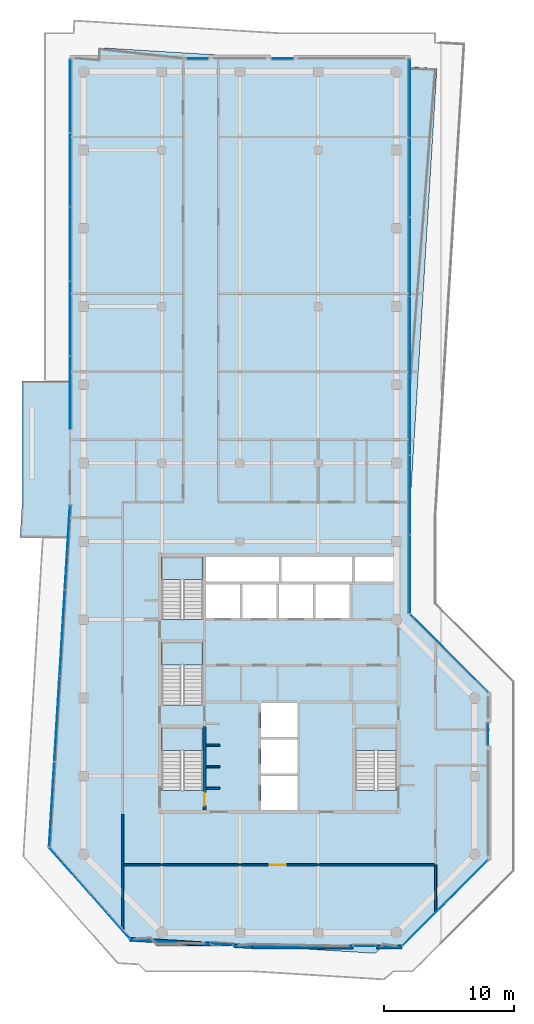
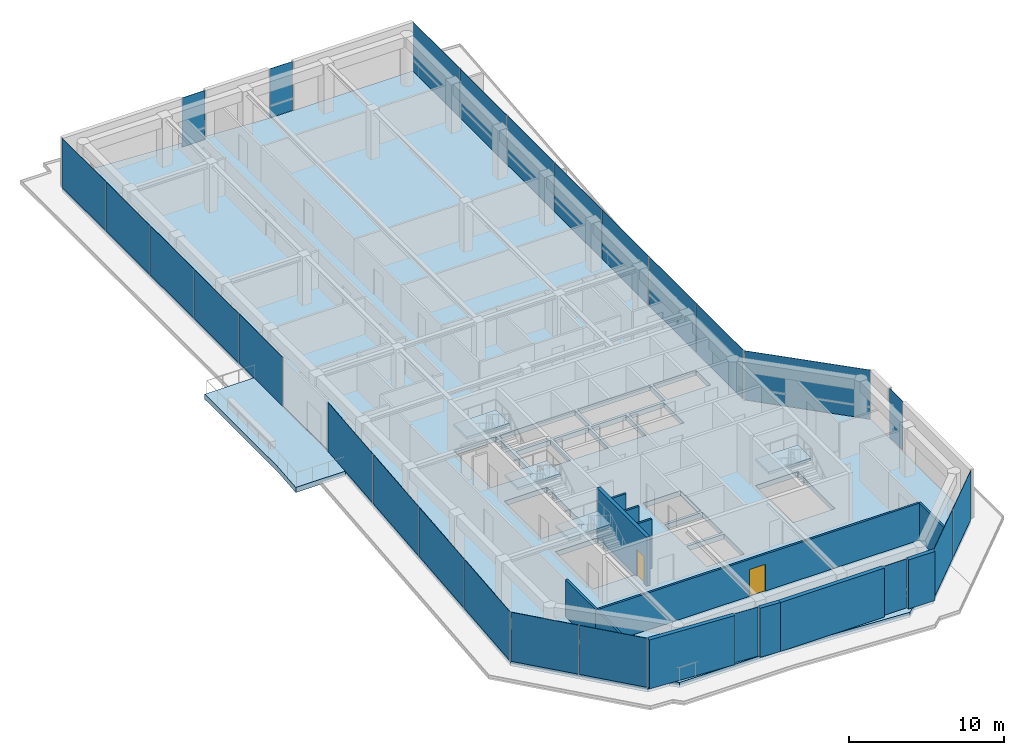
# One storey, part 13 of 18: 26 plates, 12 walls, 6 slabs, 2 doors, 2 openings, 15 elements without a shape of their own.
"""IFC4 building model written with IfcOpenShell, lengths in metres."""

from ifc_helpers import new_model, si_unit, direction, frame, frame_2d, origin, origin_2d, place, context, subcontext, project, spatial, polyline, rectangle, outline, extrude, material, layer, layer_set, type_object, element, fill, aggregate, save


model = new_model("IFC4")

# Units and contexts
model_context = context("Model", 3, precision=1e-05, world=origin(), true_north=direction((0.0, 1.0)))
body_context = subcontext(model_context, "Body", "Model", "MODEL_VIEW")
ifc_project = project(units=[si_unit("LENGTHUNIT", "METRE"), si_unit("AREAUNIT", "SQUARE_METRE"), si_unit("VOLUMEUNIT", "CUBIC_METRE"), si_unit("PLANEANGLEUNIT", "RADIAN"), si_unit("MASSUNIT", "GRAM", prefix="KILO")], contexts=[model_context])

# Site, building, storey
site_placement = place(None, origin())
site = spatial("IfcSite", under=ifc_project, at=site_placement, CompositionType="ELEMENT")
building_placement = place(site_placement, origin())
building = spatial("IfcBuilding", under=site, at=building_placement, Name="Welwitschia Terrace Campus", CompositionType="ELEMENT")
storey_placement = place(building_placement, frame((0.0, 0.0, 272.60009765625)))
storey = spatial("IfcBuildingStorey", under=building, at=storey_placement, Name="L60", CompositionType="ELEMENT", Elevation=272.60009765625)

# Curtain wall, plates
ifc_material_1 = material(Name="Bronze anodised aluminium", Category="aluminium")
ifc_layer_1 = layer(ifc_material_1, 0.1201171875)
ifc_layer_set_1 = layer_set([ifc_layer_1], Name="Bronze anodised aluminium")
curtain_wall_type = type_object("IfcCurtainWallType", Name="Curtain wall CW2 tower 6000", PredefinedType="NOTDEFINED", material=ifc_layer_set_1)
curtain_wall_1_placement = place(storey_placement, origin())
curtain_wall_1 = element("IfcCurtainWall", 1, at=curtain_wall_1_placement, inside=storey, type_object=curtain_wall_type, Name="CW L60.0.0", PredefinedType="NOTDEFINED")
ifc_material_2 = material(Name="Tinted bronze-grey glass", Category="glass")
ifc_layer_2 = layer(ifc_material_2, 0.028076171875)
ifc_layer_set_2 = layer_set([ifc_layer_2], Name="Tinted bronze-grey glass")
plate_type = type_object("IfcPlateType", Name="Glass panel 28 tinted", PredefinedType="CURTAIN_PANEL", material=ifc_layer_set_2)
plate_1_placement = place(storey_placement, frame((-1.23193359375, 25.543212890625, -0.000244140625), z_axis=(0.0, 0.0, 1.0), x_axis=(-0.061048539535, -0.998134798422, 0.0)))
plate_1 = element("IfcPlate", 2, at=plate_1_placement, type_object=plate_type, Name="Panel L60.0.0.0", PredefinedType="CURTAIN_PANEL", context=body_context, shape_type="SweptSolid", body=[
    extrude(rectangle(XDim=6.4990234375, YDim=0.028076171875, at=origin_2d()), origin(), (0.0, 0.0, 1.0), 3.85009765625),
])
plate_2_placement = place(storey_placement, frame((-1.63330078125, 18.981201171875, -0.000244140625), z_axis=(0.0, 0.0, 1.0), x_axis=(-0.061048539535, -0.998134798422, 0.0)))
plate_2 = element("IfcPlate", 3, at=plate_2_placement, type_object=plate_type, Name="Panel L60.0.0.1", PredefinedType="CURTAIN_PANEL", context=body_context, shape_type="SweptSolid", body=[
    extrude(rectangle(XDim=6.529052734375, YDim=0.028076171875, at=origin_2d()), origin(), (0.0, 0.0, 1.0), 3.85009765625),
])
plate_3_placement = place(storey_placement, frame((-2.03564453125, 12.404541015625, -0.000244140625), z_axis=(0.0, 0.0, 1.0), x_axis=(-0.061048539535, -0.998134798422, 0.0)))
plate_3 = element("IfcPlate", 4, at=plate_3_placement, type_object=plate_type, Name="Panel L60.0.0.2", PredefinedType="CURTAIN_PANEL", context=body_context, shape_type="SweptSolid", body=[
    extrude(rectangle(XDim=6.529052734375, YDim=0.028076171875, at=origin_2d()), origin(), (0.0, 0.0, 1.0), 3.85009765625),
])
plate_4_placement = place(storey_placement, frame((-2.43701171875, 5.8427734375, -0.000244140625), z_axis=(0.0, 0.0, 1.0), x_axis=(-0.061048539535, -0.998134798422, 0.0)))
plate_4 = element("IfcPlate", 5, at=plate_4_placement, type_object=plate_type, Name="Panel L60.0.0.3", PredefinedType="CURTAIN_PANEL", context=body_context, shape_type="SweptSolid", body=[
    extrude(rectangle(XDim=6.4990234375, YDim=0.028076171875, at=origin_2d()), origin(), (0.0, 0.0, 1.0), 3.85009765625),
])
aggregate(curtain_wall_1, [plate_1, plate_2, plate_3, plate_4])

curtain_wall_2_placement = place(storey_placement, origin())
curtain_wall_2 = element("IfcCurtainWall", 6, at=curtain_wall_2_placement, inside=storey, type_object=curtain_wall_type, Name="CW L60.1.0", PredefinedType="NOTDEFINED")
plate_5_placement = place(storey_placement, frame((-1.08203125, 0.779541015625, -0.000244140625), z_axis=(0.0, 0.0, 1.0), x_axis=(0.662620048216, -0.748955720789, 0.0)))
plate_5 = element("IfcPlate", 7, at=plate_5_placement, type_object=plate_type, Name="Panel L60.1.0.0", PredefinedType="CURTAIN_PANEL", context=body_context, shape_type="SweptSolid", body=[
    extrude(rectangle(XDim=4.579345703125, YDim=0.028076171875, at=origin_2d()), origin(), (0.0, 0.0, 1.0), 3.85009765625),
])
plate_6_placement = place(storey_placement, frame((1.991943359375, -2.695068359375, -0.000244140625), z_axis=(0.0, 0.0, 1.0), x_axis=(0.662620048216, -0.748955720789, 0.0)))
plate_6 = element("IfcPlate", 8, at=plate_6_placement, type_object=plate_type, Name="Panel L60.1.0.1", PredefinedType="CURTAIN_PANEL", context=body_context, shape_type="SweptSolid", body=[
    extrude(rectangle(XDim=4.579345703125, YDim=0.028076171875, at=origin_2d()), origin(), (0.0, 0.0, 1.0), 3.85009765625),
])
aggregate(curtain_wall_2, [plate_5, plate_6])

# Curtain wall, plate
curtain_wall_3_placement = place(storey_placement, origin())
curtain_wall_3 = element("IfcCurtainWall", 9, at=curtain_wall_3_placement, inside=storey, type_object=curtain_wall_type, Name="CW L60.2.S0", PredefinedType="NOTDEFINED")
plate_7_placement = place(storey_placement, frame((10.601318359375, -4.88623046875, -0.000244140625), z_axis=(0.0, 0.0, 1.0), x_axis=(0.998134798422, -0.061048539535, 0.0)))
plate_7 = element("IfcPlate", 10, at=plate_7_placement, type_object=plate_type, Name="Panel L60.2.S0.0", PredefinedType="CURTAIN_PANEL", context=body_context, shape_type="SweptSolid", body=[
    extrude(rectangle(XDim=1.679931640625, YDim=0.028076171875, at=origin_2d()), origin(), (0.0, 0.0, 1.0), 3.85009765625),
])
aggregate(curtain_wall_3, [plate_7])

curtain_wall_4_placement = place(storey_placement, origin())
curtain_wall_4 = element("IfcCurtainWall", 11, at=curtain_wall_4_placement, inside=storey, type_object=curtain_wall_type, Name="CW L60.3.S0", PredefinedType="NOTDEFINED")
plate_8_placement = place(storey_placement, frame((21.557861328125, -5.030029296875, -0.000244140625), z_axis=(0.0, 0.0, 1.0), x_axis=(1.0, 0.0, 0.0)))
plate_8 = element("IfcPlate", 12, at=plate_8_placement, type_object=plate_type, Name="Panel L60.3.S0.0", PredefinedType="CURTAIN_PANEL", context=body_context, shape_type="SweptSolid", body=[
    extrude(rectangle(XDim=1.679931640625, YDim=0.028076171875, at=origin_2d()), origin(), (0.0, 0.0, 1.0), 3.85009765625),
])
aggregate(curtain_wall_4, [plate_8])

# Curtain wall, plates
curtain_wall_5_placement = place(storey_placement, origin())
curtain_wall_5 = element("IfcCurtainWall", 13, at=curtain_wall_5_placement, inside=storey, type_object=curtain_wall_type, Name="CW L60.4.0", PredefinedType="NOTDEFINED")
plate_9_placement = place(storey_placement, frame((26.088134765625, -3.36865234375, -0.000244140625), z_axis=(0.0, 0.0, 1.0), x_axis=(0.707106781187, 0.707106781187, 0.0)))
plate_9 = element("IfcPlate", 14, at=plate_9_placement, type_object=plate_type, Name="Panel L60.4.0.0", PredefinedType="CURTAIN_PANEL", context=body_context, shape_type="SweptSolid", body=[
    extrude(rectangle(XDim=4.579345703125, YDim=0.028076171875, at=origin_2d()), origin(), (0.0, 0.0, 1.0), 3.85009765625),
])
plate_10_placement = place(storey_placement, frame((29.36865234375, -0.088134765625, -0.000244140625), z_axis=(0.0, 0.0, 1.0), x_axis=(0.707106781187, 0.707106781187, 0.0)))
plate_10 = element("IfcPlate", 15, at=plate_10_placement, type_object=plate_type, Name="Panel L60.4.0.1", PredefinedType="CURTAIN_PANEL", context=body_context, shape_type="SweptSolid", body=[
    extrude(rectangle(XDim=4.579345703125, YDim=0.028076171875, at=origin_2d()), origin(), (0.0, 0.0, 1.0), 3.85009765625),
])
aggregate(curtain_wall_5, [plate_9, plate_10])

# Curtain wall, plate
curtain_wall_6_placement = place(storey_placement, origin())
curtain_wall_6 = element("IfcCurtainWall", 16, at=curtain_wall_6_placement, inside=storey, type_object=curtain_wall_type, Name="CW L60.5.S0", PredefinedType="NOTDEFINED")
plate_11_placement = place(storey_placement, frame((31.030029296875, 11.21337890625, -0.000244140625), z_axis=(0.0, 0.0, 1.0), x_axis=(0.0, 1.0, 0.0)))
plate_11 = element("IfcPlate", 17, at=plate_11_placement, type_object=plate_type, Name="Panel L60.5.S0.0", PredefinedType="CURTAIN_PANEL", context=body_context, shape_type="SweptSolid", body=[
    extrude(rectangle(XDim=1.679931640625, YDim=0.028076171875, at=origin_2d()), origin(), (0.0, 0.0, 1.0), 3.85009765625),
])
aggregate(curtain_wall_6, [plate_11])

curtain_wall_7_placement = place(storey_placement, origin())
curtain_wall_7 = element("IfcCurtainWall", 18, at=curtain_wall_7_placement, inside=storey, type_object=curtain_wall_type, Name="CW L60.6.0", PredefinedType="NOTDEFINED")
plate_12_placement = place(storey_placement, frame((28.030029296875, 17.4267578125, -0.000244140625), z_axis=(0.0, 0.0, 1.0), x_axis=(-0.707106781187, 0.707106781187, 0.0)))
plate_12 = element("IfcPlate", 19, at=plate_12_placement, type_object=plate_type, Name="Panel L60.6.0.0", PredefinedType="CURTAIN_PANEL", context=body_context, shape_type="SweptSolid", body=[
    extrude(rectangle(XDim=8.365234375, YDim=0.028076171875, at=origin_2d()), origin(), (0.0, 0.0, 1.0), 3.85009765625),
])
aggregate(curtain_wall_7, [plate_12])

# Curtain wall, plates
curtain_wall_8_placement = place(storey_placement, origin())
curtain_wall_8 = element("IfcCurtainWall", 20, at=curtain_wall_8_placement, inside=storey, type_object=curtain_wall_type, Name="CW L60.7.0", PredefinedType="NOTDEFINED")
plate_13_placement = place(storey_placement, frame((25.030029296875, 23.484619140625, -0.000244140625), z_axis=(0.0, 0.0, 1.0), x_axis=(0.0, 1.0, 0.0)))
plate_13 = element("IfcPlate", 21, at=plate_13_placement, type_object=plate_type, Name="Panel L60.7.0.0", PredefinedType="CURTAIN_PANEL", context=body_context, shape_type="SweptSolid", body=[
    extrude(rectangle(XDim=5.99609375, YDim=0.028076171875, at=origin_2d()), origin(), (0.0, 0.0, 1.0), 3.85009765625),
])
plate_14_placement = place(storey_placement, frame((25.030029296875, 29.555908203125, -0.000244140625), z_axis=(0.0, 0.0, 1.0), x_axis=(0.0, 1.0, 0.0)))
plate_14 = element("IfcPlate", 22, at=plate_14_placement, type_object=plate_type, Name="Panel L60.7.0.1", PredefinedType="CURTAIN_PANEL", context=body_context, shape_type="SweptSolid", body=[
    extrude(rectangle(XDim=6.026123046875, YDim=0.028076171875, at=origin_2d()), origin(), (0.0, 0.0, 1.0), 3.85009765625),
])
plate_15_placement = place(storey_placement, frame((25.030029296875, 35.64208984375, -0.000244140625), z_axis=(0.0, 0.0, 1.0), x_axis=(0.0, 1.0, 0.0)))
plate_15 = element("IfcPlate", 23, at=plate_15_placement, type_object=plate_type, Name="Panel L60.7.0.2", PredefinedType="CURTAIN_PANEL", context=body_context, shape_type="SweptSolid", body=[
    extrude(rectangle(XDim=6.026123046875, YDim=0.028076171875, at=origin_2d()), origin(), (0.0, 0.0, 1.0), 3.85009765625),
])
plate_16_placement = place(storey_placement, frame((25.030029296875, 41.728271484375, -0.000244140625), z_axis=(0.0, 0.0, 1.0), x_axis=(0.0, 1.0, 0.0)))
plate_16 = element("IfcPlate", 24, at=plate_16_placement, type_object=plate_type, Name="Panel L60.7.0.3", PredefinedType="CURTAIN_PANEL", context=body_context, shape_type="SweptSolid", body=[
    extrude(rectangle(XDim=6.026123046875, YDim=0.028076171875, at=origin_2d()), origin(), (0.0, 0.0, 1.0), 3.85009765625),
])
plate_17_placement = place(storey_placement, frame((25.030029296875, 47.814453125, -0.000244140625), z_axis=(0.0, 0.0, 1.0), x_axis=(0.0, 1.0, 0.0)))
plate_17 = element("IfcPlate", 25, at=plate_17_placement, type_object=plate_type, Name="Panel L60.7.0.4", PredefinedType="CURTAIN_PANEL", context=body_context, shape_type="SweptSolid", body=[
    extrude(rectangle(XDim=6.026123046875, YDim=0.028076171875, at=origin_2d()), origin(), (0.0, 0.0, 1.0), 3.85009765625),
])
plate_18_placement = place(storey_placement, frame((25.030029296875, 53.900634765625, -0.000244140625), z_axis=(0.0, 0.0, 1.0), x_axis=(0.0, 1.0, 0.0)))
plate_18 = element("IfcPlate", 26, at=plate_18_placement, type_object=plate_type, Name="Panel L60.7.0.5", PredefinedType="CURTAIN_PANEL", context=body_context, shape_type="SweptSolid", body=[
    extrude(rectangle(XDim=6.026123046875, YDim=0.028076171875, at=origin_2d()), origin(), (0.0, 0.0, 1.0), 3.85009765625),
])
plate_19_placement = place(storey_placement, frame((25.030029296875, 59.971923828125, -0.000244140625), z_axis=(0.0, 0.0, 1.0), x_axis=(0.0, 1.0, 0.0)))
plate_19 = element("IfcPlate", 27, at=plate_19_placement, type_object=plate_type, Name="Panel L60.7.0.6", PredefinedType="CURTAIN_PANEL", context=body_context, shape_type="SweptSolid", body=[
    extrude(rectangle(XDim=5.99609375, YDim=0.028076171875, at=origin_2d()), origin(), (0.0, 0.0, 1.0), 3.85009765625),
])
aggregate(curtain_wall_8, [plate_13, plate_14, plate_15, plate_16, plate_17, plate_18, plate_19])

# Curtain wall, plate
curtain_wall_9_placement = place(storey_placement, origin())
curtain_wall_9 = element("IfcCurtainWall", 28, at=curtain_wall_9_placement, inside=storey, type_object=curtain_wall_type, Name="CW L60.8.S0", PredefinedType="NOTDEFINED")
plate_20_placement = place(storey_placement, frame((15.257568359375, 63.030029296875, -0.000244140625), z_axis=(0.0, 0.0, 1.0), x_axis=(-1.0, 0.0, 0.0)))
plate_20 = element("IfcPlate", 29, at=plate_20_placement, type_object=plate_type, Name="Panel L60.8.S0.0", PredefinedType="CURTAIN_PANEL", context=body_context, shape_type="SweptSolid", body=[
    extrude(rectangle(XDim=1.679931640625, YDim=0.028076171875, at=origin_2d()), origin(), (0.0, 0.0, 1.0), 3.85009765625),
])
aggregate(curtain_wall_9, [plate_20])

curtain_wall_10_placement = place(storey_placement, origin())
curtain_wall_10 = element("IfcCurtainWall", 30, at=curtain_wall_10_placement, inside=storey, type_object=curtain_wall_type, Name="CW L60.8.S1", PredefinedType="NOTDEFINED")
plate_21_placement = place(storey_placement, frame((8.742431640625, 63.030029296875, -0.000244140625), z_axis=(0.0, 0.0, 1.0), x_axis=(-1.0, 0.0, 0.0)))
plate_21 = element("IfcPlate", 31, at=plate_21_placement, type_object=plate_type, Name="Panel L60.8.S1.0", PredefinedType="CURTAIN_PANEL", context=body_context, shape_type="SweptSolid", body=[
    extrude(rectangle(XDim=1.679931640625, YDim=0.028076171875, at=origin_2d()), origin(), (0.0, 0.0, 1.0), 3.85009765625),
])
aggregate(curtain_wall_10, [plate_21])

# Curtain wall, plates
curtain_wall_11_placement = place(storey_placement, origin())
curtain_wall_11 = element("IfcCurtainWall", 32, at=curtain_wall_11_placement, inside=storey, type_object=curtain_wall_type, Name="CW L60.9.0", PredefinedType="NOTDEFINED")
plate_22_placement = place(storey_placement, frame((-1.030029296875, 60.166259765625, -0.000244140625), z_axis=(0.0, 0.0, 1.0), x_axis=(0.0, -1.0, 0.0)))
plate_22 = element("IfcPlate", 33, at=plate_22_placement, type_object=plate_type, Name="Panel L60.9.0.0", PredefinedType="CURTAIN_PANEL", context=body_context, shape_type="SweptSolid", body=[
    extrude(rectangle(XDim=5.607177734375, YDim=0.028076171875, at=origin_2d()), origin(), (0.0, 0.0, 1.0), 3.85009765625),
])
plate_23_placement = place(storey_placement, frame((-1.030029296875, 54.484130859375, -0.000244140625), z_axis=(0.0, 0.0, 1.0), x_axis=(0.0, -1.0, 0.0)))
plate_23 = element("IfcPlate", 34, at=plate_23_placement, type_object=plate_type, Name="Panel L60.9.0.1", PredefinedType="CURTAIN_PANEL", context=body_context, shape_type="SweptSolid", body=[
    extrude(rectangle(XDim=5.63720703125, YDim=0.028076171875, at=origin_2d()), origin(), (0.0, 0.0, 1.0), 3.85009765625),
])
plate_24_placement = place(storey_placement, frame((-1.030029296875, 48.786865234375, -0.000244140625), z_axis=(0.0, 0.0, 1.0), x_axis=(0.0, -1.0, 0.0)))
plate_24 = element("IfcPlate", 35, at=plate_24_placement, type_object=plate_type, Name="Panel L60.9.0.2", PredefinedType="CURTAIN_PANEL", context=body_context, shape_type="SweptSolid", body=[
    extrude(rectangle(XDim=5.63720703125, YDim=0.028076171875, at=origin_2d()), origin(), (0.0, 0.0, 1.0), 3.85009765625),
])
plate_25_placement = place(storey_placement, frame((-1.030029296875, 43.089599609375, -0.000244140625), z_axis=(0.0, 0.0, 1.0), x_axis=(0.0, -1.0, 0.0)))
plate_25 = element("IfcPlate", 36, at=plate_25_placement, type_object=plate_type, Name="Panel L60.9.0.3", PredefinedType="CURTAIN_PANEL", context=body_context, shape_type="SweptSolid", body=[
    extrude(rectangle(XDim=5.63720703125, YDim=0.028076171875, at=origin_2d()), origin(), (0.0, 0.0, 1.0), 3.85009765625),
])
plate_26_placement = place(storey_placement, frame((-1.030029296875, 37.407470703125, -0.000244140625), z_axis=(0.0, 0.0, 1.0), x_axis=(0.0, -1.0, 0.0)))
plate_26 = element("IfcPlate", 37, at=plate_26_placement, type_object=plate_type, Name="Panel L60.9.0.4", PredefinedType="CURTAIN_PANEL", context=body_context, shape_type="SweptSolid", body=[
    extrude(rectangle(XDim=5.607177734375, YDim=0.028076171875, at=origin_2d()), origin(), (0.0, 0.0, 1.0), 3.85009765625),
])
aggregate(curtain_wall_11, [plate_22, plate_23, plate_24, plate_25, plate_26])

# Stair, slab
ifc_material_3 = material(Name="Concrete C40/50", Category="concrete")
stair_type = type_object("IfcStairType", Name="Stair 24R 175 W1500", PredefinedType="HALF_TURN_STAIR", material=ifc_material_3)
stair_1_placement = place(storey_placement, origin())
stair_1 = element("IfcStair", 38, at=stair_1_placement, inside=storey, type_object=stair_type, Name="L60 Exit stair S1", PredefinedType="HALF_TURN_STAIR")
ifc_material_4 = material(Name="Concrete C40/50", Category="concrete")
ifc_layer_3 = layer(ifc_material_4, 0.199951171875)
ifc_layer_set_3 = layer_set([ifc_layer_3], Name="Concrete C40/50")
slab_type_1 = type_object("IfcSlabType", Name="Stair landing RC", PredefinedType="LANDING", material=ifc_layer_set_3)
slab_1_placement = place(storey_placement, frame((0.0, 0.0, 1.89990234375)))
slab_1 = element("IfcSlab", 39, at=slab_1_placement, type_object=slab_type_1, Name="S1 landing 1", PredefinedType="LANDING", context=body_context, shape_type="SweptSolid", body=[
    extrude(outline(polyline([(9.14990234375, 9.97998046875), (9.14990234375, 11.699951171875), (6.0, 11.699951171875), (6.0, 9.97998046875), (9.14990234375, 9.97998046875)])), origin(), (0.0, 0.0, 1.0), 0.199951171875),
])
aggregate(stair_1, [slab_1])

stair_2_placement = place(storey_placement, origin())
stair_2 = element("IfcStair", 40, at=stair_2_placement, inside=storey, type_object=stair_type, Name="L60 Exit stair S3", PredefinedType="HALF_TURN_STAIR")
slab_2_placement = place(storey_placement, frame((0.0, 0.0, 1.89990234375)))
slab_2 = element("IfcSlab", 41, at=slab_2_placement, type_object=slab_type_1, Name="S3 landing 1", PredefinedType="LANDING", context=body_context, shape_type="SweptSolid", body=[
    extrude(outline(polyline([(9.14990234375, 16.530029296875), (9.14990234375, 18.25), (6.0, 18.25), (6.0, 16.530029296875), (9.14990234375, 16.530029296875)])), origin(), (0.0, 0.0, 1.0), 0.199951171875),
])
aggregate(stair_2, [slab_2])

stair_3_placement = place(storey_placement, origin())
stair_3 = element("IfcStair", 42, at=stair_3_placement, inside=storey, type_object=stair_type, Name="L60 Exit stair S4", PredefinedType="HALF_TURN_STAIR")
slab_3_placement = place(storey_placement, frame((0.0, 0.0, 1.89990234375)))
slab_3 = element("IfcSlab", 43, at=slab_3_placement, type_object=slab_type_1, Name="S4 landing 1", PredefinedType="LANDING", context=body_context, shape_type="SweptSolid", body=[
    extrude(outline(polyline([(9.14990234375, 23.080078125), (9.14990234375, 24.800048828125), (6.0, 24.800048828125), (6.0, 23.080078125), (9.14990234375, 23.080078125)])), origin(), (0.0, 0.0, 1.0), 0.199951171875),
])
aggregate(stair_3, [slab_3])

stair_4_placement = place(storey_placement, origin())
stair_4 = element("IfcStair", 44, at=stair_4_placement, inside=storey, type_object=stair_type, Name="L60 Exit stair S2", PredefinedType="HALF_TURN_STAIR")
slab_4_placement = place(storey_placement, frame((0.0, 0.0, 1.89990234375)))
slab_4 = element("IfcSlab", 45, at=slab_4_placement, type_object=slab_type_1, Name="S2 landing 1", PredefinedType="LANDING", context=body_context, shape_type="SweptSolid", body=[
    extrude(outline(polyline([(24.0, 9.97998046875), (24.0, 11.699951171875), (20.85009765625, 11.699951171875), (20.85009765625, 9.97998046875), (24.0, 9.97998046875)])), origin(), (0.0, 0.0, 1.0), 0.199951171875),
])
aggregate(stair_4, [slab_4])

# Slabs
ifc_material_5 = material(Name="Concrete C40/50", Category="concrete")
ifc_layer_4 = layer(ifc_material_5, 0.39990234375)
ifc_layer_set_4 = layer_set([ifc_layer_4], Name="Concrete C40/50")
slab_type_2 = type_object("IfcSlabType", Name="Suspended floor slab 400", PredefinedType="FLOOR", material=ifc_layer_set_4)
slab_5_placement = place(storey_placement, frame((0.0, 0.0, -0.400146484375)))
element("IfcSlab", 46, at=slab_5_placement, inside=storey, type_object=slab_type_2, Name="Floor slab L60", PredefinedType="FLOOR", context=body_context, shape_type="SweptSolid", body=[
    extrude(outline(polyline([(1.140869140625, 63.849609375), (15.030517578125, 63.0), (25.0, 63.0), (25.0, 62.39013671875), (27.092529296875, 62.26220703125), (25.0, 28.05126953125), (25.0, 20.414306640625), (31.0, 14.414306640625), (31.0, 1.585693359375), (24.414306640625, -5.0), (23.006591796875, -5.0), (22.3564453125, -5.5751953125), (12.952880859375, -5.0), (5.585693359375, -5.0), (5.10595703125, -4.52001953125), (3.563232421875, -4.42578125), (-2.6083984375, 2.5498046875), (-1.15625, 26.290771484375), (-1.141357421875, 26.2900390625), (-0.985107421875, 28.8447265625), (-0.985107421875, 28.845458984375), (-0.985107421875, 38.294921875), (-1.0, 38.294921875), (-1.0, 63.0), (1.0888671875, 63.0), (1.140869140625, 63.849609375)]), holes=[polyline([(13.60009765625, 5.39990234375), (16.39990234375, 5.39990234375), (16.39990234375, 8.0), (13.60009765625, 8.0), (13.60009765625, 5.39990234375)]), polyline([(6.0, 11.699951171875), (6.0, 6.902099609375), (9.14990234375, 6.902099609375), (9.14990234375, 11.699951171875), (6.0, 11.699951171875)]), polyline([(6.0, 18.25), (6.0, 13.451904296875), (9.14990234375, 13.451904296875), (9.14990234375, 18.25), (6.0, 18.25)]), polyline([(9.39990234375, 22.699951171875), (9.39990234375, 20.10009765625), (12.0, 20.10009765625), (12.0, 22.699951171875), (9.39990234375, 22.699951171875)]), polyline([(12.199951171875, 22.699951171875), (12.199951171875, 20.10009765625), (14.800048828125, 20.10009765625), (14.800048828125, 22.699951171875), (12.199951171875, 22.699951171875)]), polyline([(6.0, 24.800048828125), (6.0, 20.001953125), (9.14990234375, 20.001953125), (9.14990234375, 24.800048828125), (6.0, 24.800048828125)]), polyline([(9.39990234375, 24.800048828125), (9.39990234375, 22.89990234375), (15.0, 22.89990234375), (15.0, 24.800048828125), (9.39990234375, 24.800048828125)]), polyline([(20.85009765625, 6.902099609375), (24.0, 6.902099609375), (24.0, 11.699951171875), (20.85009765625, 11.699951171875), (20.85009765625, 6.902099609375)]), polyline([(13.60009765625, 10.800048828125), (13.60009765625, 8.199951171875), (16.39990234375, 8.199951171875), (16.39990234375, 10.800048828125), (13.60009765625, 10.800048828125)]), polyline([(13.60009765625, 13.60009765625), (13.60009765625, 11.0), (16.39990234375, 11.0), (16.39990234375, 13.60009765625), (13.60009765625, 13.60009765625)]), polyline([(15.0, 22.699951171875), (15.0, 20.10009765625), (17.60009765625, 20.10009765625), (17.60009765625, 22.699951171875), (15.0, 22.699951171875)]), polyline([(17.800048828125, 22.699951171875), (17.800048828125, 20.10009765625), (20.39990234375, 20.10009765625), (20.39990234375, 22.699951171875), (17.800048828125, 22.699951171875)]), polyline([(15.199951171875, 24.800048828125), (15.199951171875, 22.89990234375), (20.60009765625, 22.89990234375), (20.60009765625, 24.800048828125), (15.199951171875, 24.800048828125)]), polyline([(20.800048828125, 24.800048828125), (20.800048828125, 22.89990234375), (24.0, 22.89990234375), (24.0, 24.800048828125), (20.800048828125, 24.800048828125)])]), origin(), (0.0, 0.0, 1.0), 0.400146484375),
])
ifc_material_6 = material(Name="Concrete C40/50", Category="concrete")
ifc_layer_5 = layer(ifc_material_6, 0.39990234375)
ifc_layer_set_5 = layer_set([ifc_layer_5], Name="Concrete C40/50")
slab_type_3 = type_object("IfcSlabType", Name="Terrace slab 400", PredefinedType="FLOOR", material=ifc_layer_set_5)
slab_6_placement = place(storey_placement, frame((0.0, 0.0, -0.400146484375)))
element("IfcSlab", 47, at=slab_6_placement, inside=storey, type_object=slab_type_3, Name="Terrace slab", PredefinedType="FLOOR", context=body_context, shape_type="SweptSolid", body=[
    extrude(outline(polyline([(-4.863037109375, 26.29296875), (-4.699951171875, 28.95849609375), (-4.699951171875, 38.29296875), (-1.014892578125, 38.29296875), (-1.014892578125, 28.845947265625), (-1.171142578125, 26.29296875), (-4.863037109375, 26.29296875)])), origin(), (0.0, 0.0, 1.0), 0.400146484375),
])

# Walls
ifc_material_7 = material(Name="Concrete C50/60", Category="concrete")
ifc_layer_6 = layer(ifc_material_7, 0.14990234375)
ifc_layer_set_6 = layer_set([ifc_layer_6], Name="Concrete C50/60")
wall_type_1 = type_object("IfcWallType", Name="Core wall 150 Concrete C50/60", PredefinedType="SHEAR", material=ifc_layer_set_6)
for number, where, z_axis, x_axis, name in (
    (48, (9.39990234375, 7.074951171875, 0.0), (0.0, 0.0, 1.0), (1.0, 0.0, 0.0), "Core wall"),
    (49, (9.39990234375, 8.72509765625, 0.0), (0.0, 0.0, 1.0), (1.0, 0.0, 0.0), "Core wall"),
    (50, (9.39990234375, 10.375, 0.0), (0.0, 0.0, 1.0), (1.0, 0.0, 0.0), "Core wall"),
):
    element("IfcWall", number, at=place(storey_placement, frame(where, z_axis=z_axis, x_axis=x_axis)), inside=storey, type_object=wall_type_1, Name=name, PredefinedType="SHEAR", context=body_context, shape_type="SweptSolid", body=[
        extrude(rectangle(XDim=1.050048828125, YDim=0.14990234375, at=frame_2d((0.52490234375, 0.0))), origin(), (0.0, 0.0, 1.0), 3.849853515625),
    ])

# Wall, opening, door
ifc_material_8 = material(Name="Concrete C50/60", Category="concrete")
ifc_layer_7 = layer(ifc_material_8, 0.25)
ifc_layer_set_7 = layer_set([ifc_layer_7], Name="Concrete C50/60")
wall_type_2 = type_object("IfcWallType", Name="Core wall 250 Concrete C50/60", PredefinedType="SHEAR", material=ifc_layer_set_7)
wall_1_placement = place(storey_placement, frame((9.27490234375, 11.824951171875, 0.0), z_axis=(0.0, 0.0, 1.0), x_axis=(0.0, -1.0, 0.0)))
wall_1 = element("IfcWall", 51, at=wall_1_placement, inside=storey, type_object=wall_type_2, Name="Core wall", PredefinedType="SHEAR", context=body_context, shape_type="SweptSolid", body=[
    extrude(rectangle(XDim=6.425048828125, YDim=0.25, at=frame_2d((3.21240234375, 0.0))), origin(), (0.0, 0.0, 1.0), 3.849853515625),
])
opening_1_placement = place(wall_1_placement, frame((5.074951171875, 0.0, 0.0)))
opening_1 = element("IfcOpeningElement", 52, at=opening_1_placement, cuts=wall_1, Name="Opening DS10", PredefinedType="OPENING", context=body_context, shape_type="SweptSolid", body=[
    extrude(rectangle(XDim=1.0, YDim=2.10009765625, at=frame_2d((0.5, 1.050048828125))), frame((0.0, 0.135009765625, 0.0), z_axis=(0.0, -1.0, 0.0), x_axis=(1.0, 0.0, 0.0)), (0.0, 0.0, 1.0), 0.27001953125),
])
ifc_material_9 = material(Name="Steel S275", Category="steel")
door_type_1 = type_object("IfcDoorType", Name="Core door DS10", OperationType="SINGLE_SWING_LEFT", PredefinedType="DOOR", material=ifc_material_9)
door_1_placement = place(opening_1_placement, origin())
door_1 = element("IfcDoor", 53, at=door_1_placement, inside=storey, type_object=door_type_1, Name="Door S1-FL", OperationType="SINGLE_SWING_RIGHT", OverallHeight=2.10009765625, OverallWidth=1.0, PredefinedType="DOOR", context=body_context, shape_type="SweptSolid", body=[
    extrude(rectangle(XDim=1.0, YDim=2.10009765625, at=frame_2d((0.5, 1.050048828125))), frame((0.0, 0.02490234375, 0.0), z_axis=(0.0, -1.0, 0.0), x_axis=(1.0, 0.0, 0.0)), (0.0, 0.0, 1.0), 0.050048828125),
])
fill(opening_1, door_1)

# Walls
ifc_material_10 = material(Name="Gypsum board on steel studs", Category="steel")
ifc_layer_8 = layer(ifc_material_10, 0.14990234375)
ifc_layer_set_8 = layer_set([ifc_layer_8], Name="Gypsum board on steel studs")
wall_type_3 = type_object("IfcWallType", Name="Corridor partition 150 EI 30", PredefinedType="PARTITIONING", material=ifc_layer_set_8)
wall_2_placement = place(storey_placement, frame((3.0, -3.760009765625, 0.0), z_axis=(0.0, 0.0, 1.0), x_axis=(0.0, 1.0, 0.0)))
element("IfcWall", 54, at=wall_2_placement, inside=storey, type_object=wall_type_3, Name="Partition", PredefinedType="PARTITIONING", context=body_context, shape_type="SweptSolid", body=[
    extrude(rectangle(XDim=4.9599609375, YDim=0.14990234375, at=frame_2d((2.47998046875, 0.0))), origin(), (0.0, 0.0, 1.0), 2.89990234375),
])
wall_3_placement = place(storey_placement, frame((3.0, 1.199951171875, 0.0), z_axis=(0.0, 0.0, 1.0), x_axis=(0.0, 1.0, 0.0)))
element("IfcWall", 55, at=wall_3_placement, inside=storey, type_object=wall_type_3, Name="Partition", PredefinedType="PARTITIONING", context=body_context, shape_type="SweptSolid", body=[
    extrude(rectangle(XDim=3.900146484375, YDim=0.14990234375, at=frame_2d((1.9501953125, 0.0))), origin(), (0.0, 0.0, 1.0), 2.89990234375),
])
wall_4_placement = place(storey_placement, frame((27.0, -2.389892578125, 0.0), z_axis=(0.0, 0.0, 1.0), x_axis=(0.0, 1.0, 0.0)))
element("IfcWall", 56, at=wall_4_placement, inside=storey, type_object=wall_type_3, Name="Partition", PredefinedType="PARTITIONING", context=body_context, shape_type="SweptSolid", body=[
    extrude(rectangle(XDim=3.58984375, YDim=0.14990234375, at=frame_2d((1.794921875, 0.0))), origin(), (0.0, 0.0, 1.0), 2.89990234375),
])

# Wall, opening, door
wall_5_placement = place(storey_placement, frame((27.0, 1.199951171875, 0.0), z_axis=(0.0, 0.0, 1.0), x_axis=(-1.0, 0.0, 0.0)))
wall_5 = element("IfcWall", 57, at=wall_5_placement, inside=storey, type_object=wall_type_3, Name="Partition", PredefinedType="PARTITIONING", context=body_context, shape_type="SweptSolid", body=[
    extrude(rectangle(XDim=24.0, YDim=0.14990234375, at=frame_2d((12.0, 0.0))), origin(), (0.0, 0.0, 1.0), 2.89990234375),
])
opening_2_placement = place(wall_5_placement, frame((11.5, 0.0, 0.0)))
opening_2 = element("IfcOpeningElement", 58, at=opening_2_placement, cuts=wall_5, Name="Opening DI12", PredefinedType="OPENING", context=body_context, shape_type="SweptSolid", body=[
    extrude(rectangle(XDim=1.199951171875, YDim=2.10009765625, at=frame_2d((0.60009765625, 1.050048828125))), frame((0.0, 0.0849609375, 0.0), z_axis=(0.0, -1.0, 0.0), x_axis=(1.0, 0.0, 0.0)), (0.0, 0.0, 1.0), 0.169921875),
])
ifc_material_11 = material(Name="Timber veneered door", Category="wood")
door_type_2 = type_object("IfcDoorType", Name="Interior door DI12", OperationType="NOTDEFINED", PredefinedType="DOOR", material=ifc_material_11)
door_2_placement = place(opening_2_placement, origin())
door_2 = element("IfcDoor", 59, at=door_2_placement, inside=storey, type_object=door_type_2, Name="Door L60 1085", OperationType="SINGLE_SWING_RIGHT", OverallHeight=2.10009765625, OverallWidth=1.199951171875, PredefinedType="DOOR", context=body_context, shape_type="SweptSolid", body=[
    extrude(rectangle(XDim=1.199951171875, YDim=2.10009765625, at=frame_2d((0.60009765625, 1.050048828125))), frame((0.0, 0.02490234375, 0.0), z_axis=(0.0, -1.0, 0.0), x_axis=(1.0, 0.0, 0.0)), (0.0, 0.0, 1.0), 0.050048828125),
])
fill(opening_2, door_2)

# Walls
ifc_material_12 = material(Name="Concrete C40/50", Category="concrete")
ifc_layer_9 = layer(ifc_material_12, 0.300048828125)
ifc_layer_set_9 = layer_set([ifc_layer_9], Name="Concrete C40/50")
wall_type_4 = type_object("IfcWallType", Name="Mass wall 300", PredefinedType="SOLIDWALL", material=ifc_layer_set_9)
wall_6_placement = place(storey_placement, frame((3.5458984375, -4.50439453125, 0.0), z_axis=(0.0, 0.0, 1.0), x_axis=(0.99813413764, -0.061059342256, 0.0)))
element("IfcWall", 60, at=wall_6_placement, inside=storey, type_object=wall_type_4, Name="Mass wall L60.2.0", PredefinedType="SOLIDWALL", context=body_context, shape_type="SweptSolid", body=[
    extrude(rectangle(XDim=6.16552734375, YDim=0.300048828125, at=frame_2d((3.082763671875, 0.0))), origin(), (0.0, 0.0, 1.0), 3.849853515625),
])
wall_7_placement = place(storey_placement, frame((11.49658203125, -4.991455078125, 0.0), z_axis=(0.0, 0.0, 1.0), x_axis=(0.998133330286, -0.061072538616, 0.0)))
element("IfcWall", 61, at=wall_7_placement, inside=storey, type_object=wall_type_4, Name="Mass wall L60.2.1", PredefinedType="SOLIDWALL", context=body_context, shape_type="SweptSolid", body=[
    extrude(rectangle(XDim=1.455078125, YDim=0.300048828125, at=frame_2d((0.7275390625, 0.0))), origin(), (0.0, 0.0, 1.0), 3.849853515625),
])
wall_8_placement = place(storey_placement, frame((12.951904296875, -5.080322265625, 0.0), z_axis=(0.0, 0.0, 1.0), x_axis=(1.0, 0.0, 0.0)))
element("IfcWall", 62, at=wall_8_placement, inside=storey, type_object=wall_type_4, Name="Mass wall L60.3.0", PredefinedType="SOLIDWALL", context=body_context, shape_type="SweptSolid", body=[
    extrude(rectangle(XDim=7.7060546875, YDim=0.300048828125, at=frame_2d((3.85302734375, 0.0))), origin(), (0.0, 0.0, 1.0), 3.849853515625),
])
wall_9_placement = place(storey_placement, frame((22.4580078125, -5.07958984375, 0.0), z_axis=(0.0, 0.0, 1.0), x_axis=(1.0, 0.0, 0.0)))
element("IfcWall", 63, at=wall_9_placement, inside=storey, type_object=wall_type_4, Name="Mass wall L60.3.1", PredefinedType="SOLIDWALL", context=body_context, shape_type="SweptSolid", body=[
    extrude(rectangle(XDim=1.968505859375, YDim=0.300048828125, at=frame_2d((0.984375, 0.0))), origin(), (0.0, 0.0, 1.0), 3.849853515625),
])

save(model, "model.ifc")
